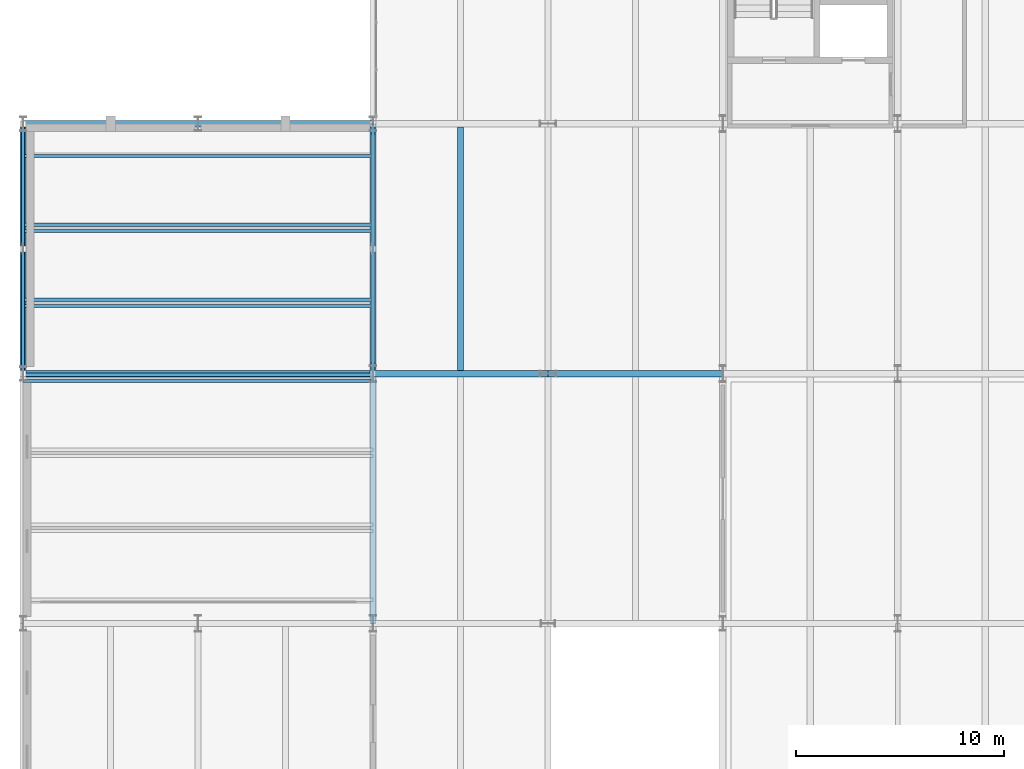
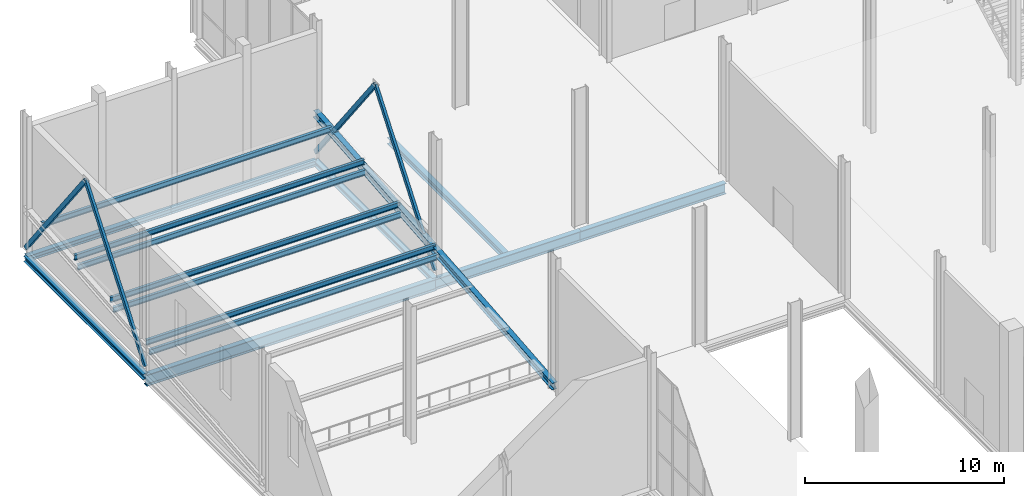
# One storey, part 23 of 131: 16 beams, 4 members.
"""IFC4 building model written with IfcOpenShell, lengths in metres."""

from ifc_helpers import new_model, si_unit, direction, frame, origin, origin_2d, place, context, subcontext, project, spatial, hollow_rectangle, i_section, extrude, material, material_profile, profile_set, type_object, element, save


model = new_model("IFC4")

# Units and contexts
model_context = context("Model", 3, precision=1e-05, world=origin(), true_north=direction((0.0, 1.0)))
body_context = subcontext(model_context, "Body", "Model", "MODEL_VIEW")
ifc_project = project(units=[si_unit("LENGTHUNIT", "METRE"), si_unit("AREAUNIT", "SQUARE_METRE"), si_unit("VOLUMEUNIT", "CUBIC_METRE"), si_unit("PLANEANGLEUNIT", "RADIAN"), si_unit("MASSUNIT", "GRAM", prefix="KILO")], contexts=[model_context])

# Site, building, storey
site_placement = place(None, origin())
site = spatial("IfcSite", under=ifc_project, at=site_placement, CompositionType="ELEMENT")
building_placement = place(site_placement, origin())
building = spatial("IfcBuilding", under=site, at=building_placement, Name="Veltarok Museum of Natural Sciences", CompositionType="ELEMENT")
storey_placement = place(building_placement, origin())
storey = spatial("IfcBuildingStorey", under=building, at=storey_placement, Name="L00", CompositionType="ELEMENT", Elevation=0.0)

# Beams
ifc_material_1 = material(Name="Steel S355J2", Category="steel")
ifc_material_profile_1 = material_profile(ifc_material_1, i_section(OverallWidth=0.300048828125, OverallDepth=0.43994140625, WebThickness=0.011474609375, FlangeThickness=0.02099609375, FilletRadius=0.027099609375, at=origin_2d()), Name="HEA 450")
ifc_profile_set_1 = profile_set([ifc_material_profile_1], Name="Steel S355J2")
beam_type_1 = type_object("IfcBeamType", Name="Auditorium Tier Raker Beam HEA 450", PredefinedType="BEAM", material=ifc_profile_set_1)
beam_1_placement = place(storey_placement, frame((23.199951171875, 36.0, 0.339111328125), z_axis=(0.0, 0.995825088731, 0.091281940456), x_axis=(-1.0, 0.0, 0.0)))
element("IfcBeam", 1, at=beam_1_placement, inside=storey, type_object=beam_type_1, Name="Auditorium Raker Beam RAKER-L00-2", PredefinedType="BEAM", context=body_context, shape_type="SweptSolid", body=[
    extrude(i_section(OverallWidth=0.300048828125, OverallDepth=0.43994140625, WebThickness=0.011474609375, FlangeThickness=0.02099609375, FilletRadius=0.027099609375, at=origin_2d()), origin(), (0.0, 0.0, 1.0), 24.1005859375),
])
ifc_material_profile_2 = material_profile(ifc_material_1, i_section(OverallWidth=0.300048828125, OverallDepth=0.389892578125, WebThickness=0.010986328125, FlangeThickness=0.01904296875, FilletRadius=0.027099609375, at=origin_2d()), Name="HEA 400")
ifc_profile_set_2 = profile_set([ifc_material_profile_2], Name="Steel S355J2")
beam_type_2 = type_object("IfcBeamType", Name="Heavy Archive Joist HEA 400", PredefinedType="JOIST", material=ifc_profile_set_2)
beam_2_placement = place(storey_placement, frame((27.39990234375, 48.14794921875, -0.4951171875), z_axis=(0.0, 1.0, 0.0), x_axis=(-1.0, 0.0, 0.0)))
element("IfcBeam", 2, at=beam_2_placement, inside=storey, type_object=beam_type_2, Name="Secondary Joist BM-J06 L00 3-4/F-G.1", PredefinedType="JOIST", context=body_context, shape_type="SweptSolid", body=[
    extrude(i_section(OverallWidth=0.300048828125, OverallDepth=0.389892578125, WebThickness=0.010986328125, FlangeThickness=0.01904296875, FilletRadius=0.027099609375, at=origin_2d()), origin(), (0.0, 0.0, 1.0), 11.7041015625),
])
ifc_material_profile_3 = material_profile(ifc_material_1, i_section(OverallWidth=0.300048828125, OverallDepth=0.64990234375, WebThickness=0.01611328125, FlangeThickness=0.031005859375, FilletRadius=0.027099609375, at=origin_2d()), Name="HEB 650")
ifc_profile_set_3 = profile_set([ifc_material_profile_3], Name="Steel S355J2")
beam_type_3 = type_object("IfcBeamType", Name="Heavy Spine Girder HEB 650", PredefinedType="BEAM", material=ifc_profile_set_3)
beam_3_placement = place(storey_placement, frame((23.199951171875, 48.0, -0.625), z_axis=(1.0, 0.0, 0.0), x_axis=(0.0, 1.0, 0.0)))
element("IfcBeam", 3, at=beam_3_placement, inside=storey, type_object=beam_type_3, Name="Beam BM-G11 L00 3-4/F", PredefinedType="BEAM", context=body_context, shape_type="SweptSolid", body=[
    extrude(i_section(OverallWidth=0.300048828125, OverallDepth=0.64990234375, WebThickness=0.01611328125, FlangeThickness=0.031005859375, FilletRadius=0.027099609375, at=origin_2d()), origin(), (0.0, 0.0, 1.0), 8.400146484375),
])
beam_4_placement = place(storey_placement, frame((31.60009765625, 48.0, -0.625), z_axis=(1.0, 0.0, 0.0), x_axis=(0.0, 1.0, 0.0)))
element("IfcBeam", 4, at=beam_4_placement, inside=storey, type_object=beam_type_3, Name="Beam BM-G11 L00 4-5/F", PredefinedType="BEAM", context=body_context, shape_type="SweptSolid", body=[
    extrude(i_section(OverallWidth=0.300048828125, OverallDepth=0.64990234375, WebThickness=0.01611328125, FlangeThickness=0.031005859375, FilletRadius=0.027099609375, at=origin_2d()), origin(), (0.0, 0.0, 1.0), 8.39990234375),
])
ifc_material_profile_4 = material_profile(ifc_material_1, i_section(OverallWidth=0.300048828125, OverallDepth=0.699951171875, WebThickness=0.01708984375, FlangeThickness=0.031982421875, FilletRadius=0.027099609375, at=origin_2d()), Name="HEB 700")
ifc_profile_set_4 = profile_set([ifc_material_profile_4], Name="Steel S355J2")
beam_type_4 = type_object("IfcBeamType", Name="Long-Span Hall Girder HEB 700", PredefinedType="BEAM", material=ifc_profile_set_4)
beam_5_placement = place(storey_placement, frame((6.39990234375, 48.0, -0.64990234375), z_axis=(1.0, 0.0, 0.0), x_axis=(0.0, 1.0, 0.0)))
element("IfcBeam", 5, at=beam_5_placement, inside=storey, type_object=beam_type_4, Name="Auditorium Long-Span Girder L00 1-3/F", PredefinedType="BEAM", context=body_context, shape_type="SweptSolid", body=[
    extrude(i_section(OverallWidth=0.300048828125, OverallDepth=0.699951171875, WebThickness=0.01708984375, FlangeThickness=0.031982421875, FilletRadius=0.027099609375, at=origin_2d()), origin(), (0.0, 0.0, 1.0), 16.800048828125),
])
ifc_material_profile_5 = material_profile(ifc_material_1, i_section(OverallWidth=0.159912109375, OverallDepth=0.330078125, WebThickness=0.007568359375, FlangeThickness=0.011474609375, FilletRadius=0.01806640625, at=origin_2d()), Name="IPE 330")
ifc_profile_set_5 = profile_set([ifc_material_profile_5], Name="Steel S355J2")
beam_type_5 = type_object("IfcBeamType", Name="Medium-Bay Composite Joist IPE 330", PredefinedType="JOIST", material=ifc_profile_set_5)
for number, where, z_axis, x_axis, name in (
    (6, (6.39990234375, 47.64990234375, 1.2451171875), (1.0, 0.0, 0.0), (0.0, 1.0, 0.0), "Auditorium Tier Joist L00-3B"),
    (7, (6.39990234375, 47.949951171875, 1.6650390625), (1.0, 0.0, 0.0), (0.0, 1.0, 0.0), "Auditorium Tier Joist L00-4F"),
    (8, (6.39990234375, 51.25, 1.6650390625), (1.0, 0.0, 0.0), (0.0, 1.0, 0.0), "Auditorium Tier Joist L00-4B"),
    (9, (6.39990234375, 51.550048828125, 2.0849609375), (1.0, 0.0, 0.0), (0.0, 1.0, 0.0), "Auditorium Tier Joist L00-5F"),
    (10, (6.39990234375, 54.85009765625, 2.0849609375), (1.0, 0.0, 0.0), (0.0, 1.0, 0.0), "Auditorium Tier Joist L00-5B"),
    (11, (6.39990234375, 55.14990234375, 2.5048828125), (1.0, 0.0, 0.0), (0.0, 1.0, 0.0), "Auditorium Tier Joist L00-6F"),
    (12, (6.39990234375, 58.449951171875, 2.5048828125), (1.0, 0.0, 0.0), (0.0, 1.0, 0.0), "Auditorium Tier Joist L00-6B"),
):
    element("IfcBeam", number, at=place(storey_placement, frame(where, z_axis=z_axis, x_axis=x_axis)), inside=storey, type_object=beam_type_5, Name=name, PredefinedType="JOIST", context=body_context, shape_type="SweptSolid", body=[
        extrude(i_section(OverallWidth=0.159912109375, OverallDepth=0.330078125, WebThickness=0.007568359375, FlangeThickness=0.011474609375, FilletRadius=0.01806640625, at=origin_2d()), origin(), (0.0, 0.0, 1.0), 16.800048828125),
    ])
ifc_material_profile_6 = material_profile(ifc_material_1, i_section(OverallWidth=0.300048828125, OverallDepth=0.340087890625, WebThickness=0.011962890625, FlangeThickness=0.021484375, FilletRadius=0.027099609375, at=origin_2d()), Name="HEB 340")
ifc_profile_set_6 = profile_set([ifc_material_profile_6], Name="Steel S355J2")
beam_type_6 = type_object("IfcBeamType", Name="Perimeter Bridge Spandrel HEB 340", PredefinedType="SPANDREL", material=ifc_profile_set_6)
beam_6_placement = place(storey_placement, frame((6.39990234375, 60.0, -0.469970703125), z_axis=(1.0, 0.0, 0.0), x_axis=(0.0, 1.0, 0.0)))
element("IfcBeam", 13, at=beam_6_placement, inside=storey, type_object=beam_type_6, Name="Beam BM-SP07 L00 1-2/G", PredefinedType="SPANDREL", context=body_context, shape_type="SweptSolid", body=[
    extrude(i_section(OverallWidth=0.300048828125, OverallDepth=0.340087890625, WebThickness=0.011962890625, FlangeThickness=0.021484375, FilletRadius=0.027099609375, at=origin_2d()), origin(), (0.0, 0.0, 1.0), 8.400146484375),
])
beam_7_placement = place(storey_placement, frame((14.800048828125, 60.0, -0.469970703125), z_axis=(1.0, 0.0, 0.0), x_axis=(0.0, 1.0, 0.0)))
element("IfcBeam", 14, at=beam_7_placement, inside=storey, type_object=beam_type_6, Name="Beam BM-SP07 L00 2-3/G", PredefinedType="SPANDREL", context=body_context, shape_type="SweptSolid", body=[
    extrude(i_section(OverallWidth=0.300048828125, OverallDepth=0.340087890625, WebThickness=0.011962890625, FlangeThickness=0.021484375, FilletRadius=0.027099609375, at=origin_2d()), origin(), (0.0, 0.0, 1.0), 8.39990234375),
])
for number, where, z_axis, x_axis, name in (
    (15, (6.39990234375, 48.0, -0.469970703125), (0.0, 1.0, 0.0), (-1.0, 0.0, 0.0), "Beam BM-SP07 L00 1/F-G"),
    (16, (23.199951171875, 48.0, -0.469970703125), (0.0, 1.0, 0.0), (-1.0, 0.0, 0.0), "Beam BM-SP07 L00 3/F-G"),
):
    element("IfcBeam", number, at=place(storey_placement, frame(where, z_axis=z_axis, x_axis=x_axis)), inside=storey, type_object=beam_type_6, Name=name, PredefinedType="SPANDREL", context=body_context, shape_type="SweptSolid", body=[
        extrude(i_section(OverallWidth=0.300048828125, OverallDepth=0.340087890625, WebThickness=0.011962890625, FlangeThickness=0.021484375, FilletRadius=0.027099609375, at=origin_2d()), origin(), (0.0, 0.0, 1.0), 12.0),
    ])

# Members
ifc_material_2 = material(Name="Oxide-red painted Steel S355J2", Category="steel")
ifc_material_profile_7 = material_profile(ifc_material_2, hollow_rectangle(XDim=0.14990234375, YDim=0.25, WallThickness=0.010009765625, at=origin_2d()), Name="RHS 250x150x10")
ifc_profile_set_7 = profile_set([ifc_material_profile_7], Name="Oxide-red painted Steel S355J2")
member_type = type_object("IfcMemberType", Name="Perimeter Frame Lateral Brace RHS 250x150x10", PredefinedType="BRACE", material=ifc_profile_set_7)
for number, where, z_axis, x_axis, name in (
    (17, (6.39990234375, 48.0, 0.14990234375), (0.0, 0.611185584885, 0.791487321963), (-1.0, 0.0, 0.0), "Chevron Lateral Brace L00 1/F-G"),
    (18, (6.39990234375, 60.0, 0.14990234375), (0.0, -0.611185584885, 0.791487321963), (1.0, 0.0, 0.0), "Chevron Lateral Brace L00 1/F-G"),
    (19, (23.199951171875, 48.0, 0.14990234375), (0.0, 0.611185584885, 0.791487321963), (-1.0, 0.0, 0.0), "Chevron Lateral Brace L00 3/F-G"),
    (20, (23.199951171875, 60.0, 0.14990234375), (0.0, -0.611185584885, 0.791487321963), (1.0, 0.0, 0.0), "Chevron Lateral Brace L00 3/F-G"),
):
    element("IfcMember", number, at=place(storey_placement, frame(where, z_axis=z_axis, x_axis=x_axis)), inside=storey, type_object=member_type, Name=name, PredefinedType="BRACE", context=body_context, shape_type="SweptSolid", body=[
        extrude(hollow_rectangle(XDim=0.14990234375, YDim=0.25, WallThickness=0.010009765625, at=origin_2d()), origin(), (0.0, 0.0, 1.0), 9.81689453125),
    ])

save(model, "model.ifc")
